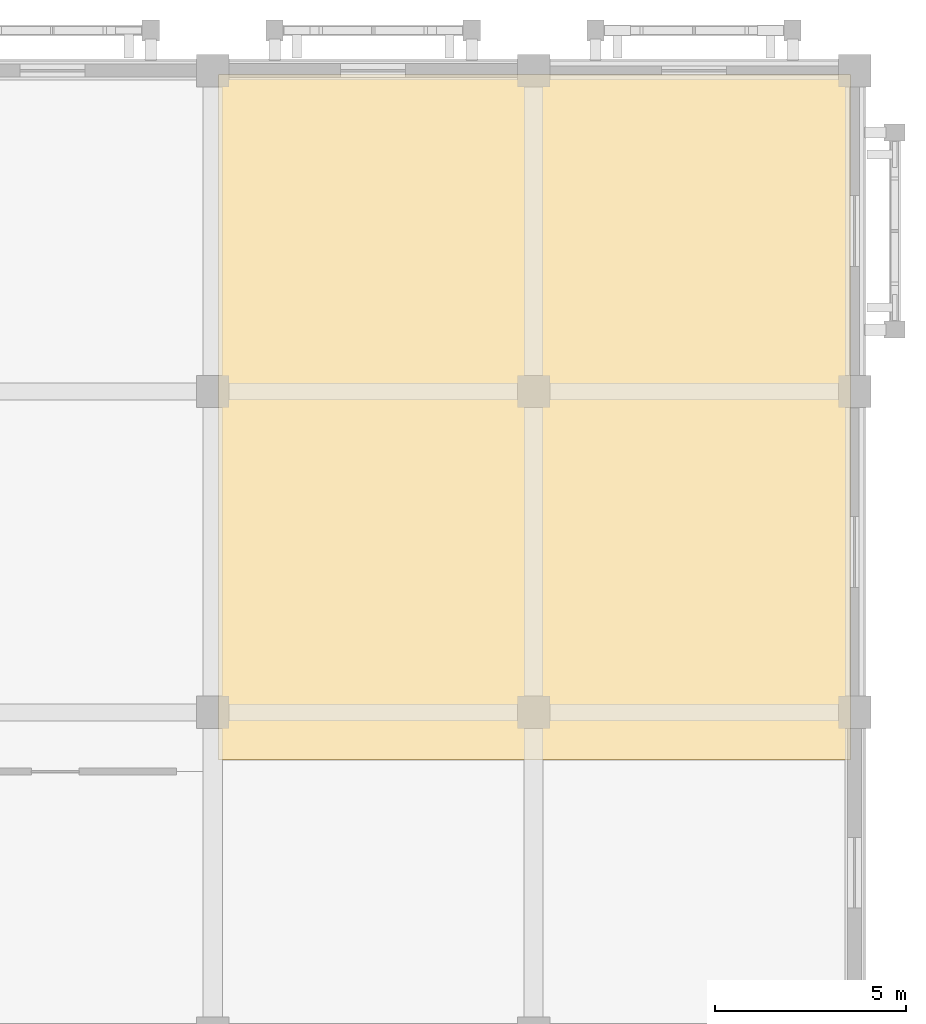
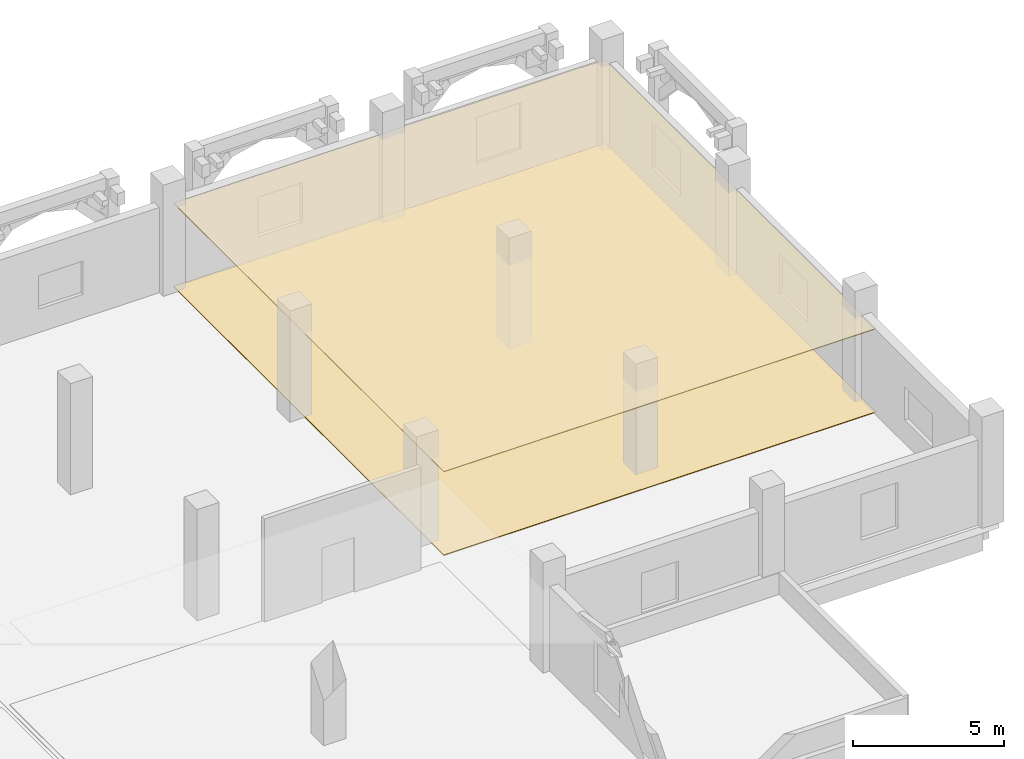
# One storey, part 136 of 137: 2 coverings.
"""IFC4 building model written with IfcOpenShell, lengths in metres."""

from ifc_helpers import new_model, si_unit, direction, frame, origin, place, context, subcontext, project, spatial, polyline, outline, extrude, material, layer, layer_set, type_object, element, save


model = new_model("IFC4")

# Units and contexts
model_context = context("Model", 3, precision=1e-05, world=origin(), true_north=direction((0.0, 1.0)))
body_context = subcontext(model_context, "Body", "Model", "MODEL_VIEW")
ifc_project = project(units=[si_unit("LENGTHUNIT", "METRE"), si_unit("AREAUNIT", "SQUARE_METRE"), si_unit("VOLUMEUNIT", "CUBIC_METRE"), si_unit("PLANEANGLEUNIT", "RADIAN"), si_unit("MASSUNIT", "GRAM", prefix="KILO")], contexts=[model_context])

# Site, building, storey
site_placement = place(None, origin())
site = spatial("IfcSite", under=ifc_project, at=site_placement, CompositionType="ELEMENT")
building_placement = place(site_placement, origin())
building = spatial("IfcBuilding", under=site, at=building_placement, Name="Xazarin Passage Department Store", CompositionType="ELEMENT")
storey_placement = place(building_placement, frame((0.0, 0.0, 5.39990234375)))
storey = spatial("IfcBuildingStorey", under=building, at=storey_placement, Name="L01", CompositionType="ELEMENT", Elevation=5.39990234375)

# Coverings
ifc_material_1 = material(Name="Acoustic mineral ceiling")
ifc_layer_1 = layer(ifc_material_1, 0.030029296875)
ifc_layer_set_1 = layer_set([ifc_layer_1], Name="Acoustic mineral ceiling")
covering_type_1 = type_object("IfcCoveringType", Name="ARC-COV-CLG030", PredefinedType="CEILING", material=ifc_layer_set_1)
covering_1_placement = place(storey_placement, frame((0.0, 0.0, 3.3701171875)))
element("IfcCovering", 1, at=covering_1_placement, inside=storey, type_object=covering_type_1, Name="L01 Garment Hanging Stockroom Acoustic Ceiling", PredefinedType="CEILING", context=body_context, shape_type="SweptSolid", body=[
    extrude(outline(polyline([(152.949951171875, 91.949951171875), (169.5, 91.949951171875), (169.5, 109.89990234375), (152.949951171875, 109.89990234375), (152.949951171875, 91.949951171875)])), origin(), (0.0, 0.0, 1.0), 0.030029296875),
])
ifc_material_2 = material(Name="Terrazzo stone flooring", Category="masonry")
ifc_layer_2 = layer(ifc_material_2, 0.02490234375)
ifc_layer_set_2 = layer_set([ifc_layer_2], Name="Terrazzo stone flooring")
covering_type_2 = type_object("IfcCoveringType", Name="ARC-COV-FLR025", PredefinedType="FLOORING", material=ifc_layer_set_2)
covering_2_placement = place(storey_placement, origin())
element("IfcCovering", 2, at=covering_2_placement, inside=storey, type_object=covering_type_2, Name="L01 Garment Hanging Stockroom Terrazzo Flooring", PredefinedType="FLOORING", context=body_context, shape_type="SweptSolid", body=[
    extrude(outline(polyline([(152.949951171875, 91.949951171875), (169.5, 91.949951171875), (169.5, 109.89990234375), (152.949951171875, 109.89990234375), (152.949951171875, 91.949951171875)])), origin(), (0.0, 0.0, 1.0), 0.025146484375),
])

save(model, "model.ifc")
